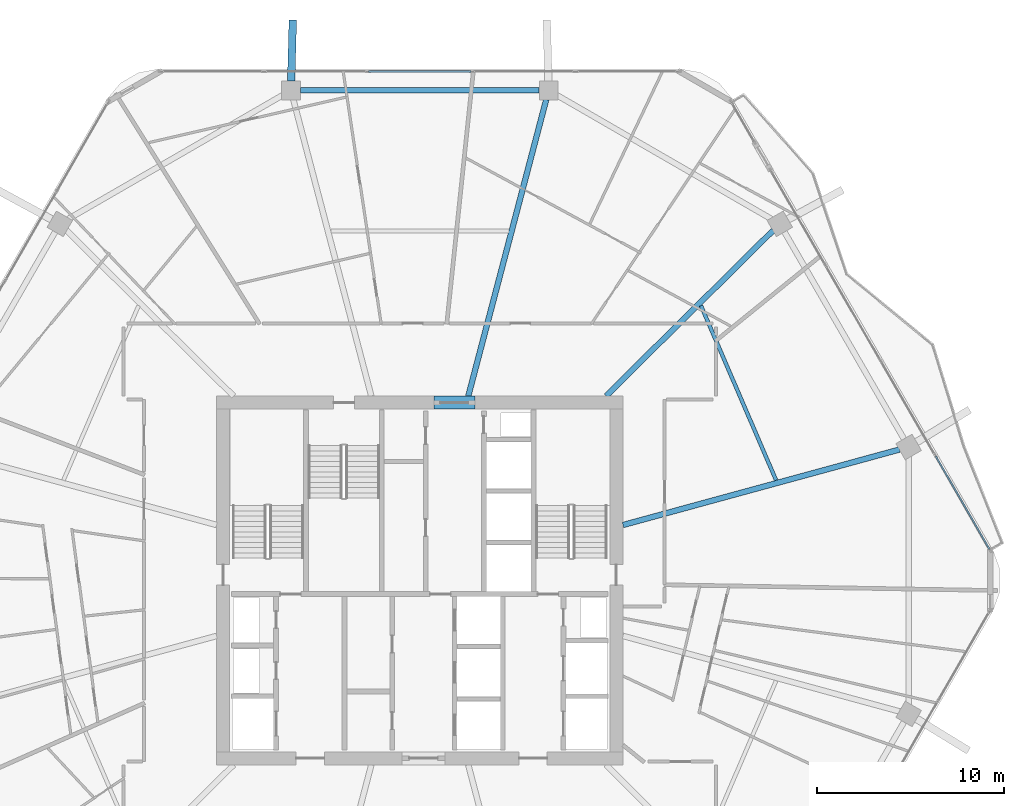
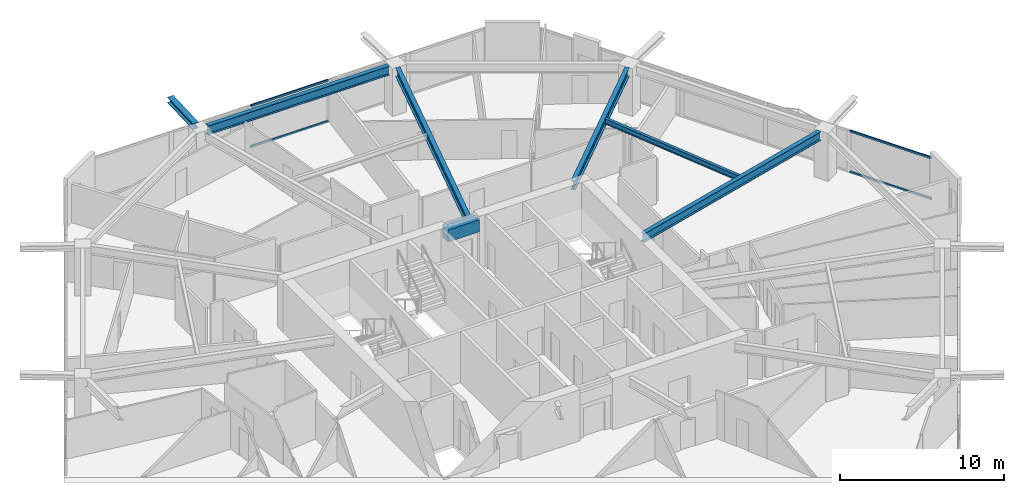
# One storey, part 13 of 25: 7 beams, 4 members, 2 elements without a shape of their own.
"""IFC4 building model written with IfcOpenShell, lengths in metres."""

from ifc_helpers import new_model, si_unit, direction, frame, origin, origin_2d, place, context, subcontext, project, spatial, rectangle, hollow_rectangle, i_section, extrude, material, material_profile, profile_set, type_object, element, aggregate, save


model = new_model("IFC4")

# Units and contexts
model_context = context("Model", 3, precision=1e-05, world=origin(), true_north=direction((0.0, 1.0)))
body_context = subcontext(model_context, "Body", "Model", "MODEL_VIEW")
ifc_project = project(units=[si_unit("LENGTHUNIT", "METRE"), si_unit("AREAUNIT", "SQUARE_METRE"), si_unit("VOLUMEUNIT", "CUBIC_METRE"), si_unit("PLANEANGLEUNIT", "RADIAN"), si_unit("MASSUNIT", "GRAM", prefix="KILO")], contexts=[model_context])

# Site, building, storey
site_placement = place(None, origin())
site = spatial("IfcSite", under=ifc_project, at=site_placement, CompositionType="ELEMENT")
building_placement = place(site_placement, origin())
building = spatial("IfcBuilding", under=site, at=building_placement, Name="Zuhravey Tower", CompositionType="ELEMENT")
storey_placement = place(building_placement, frame((0.0, 0.0, 180.800048828125)))
storey = spatial("IfcBuildingStorey", under=building, at=storey_placement, Name="L45", CompositionType="ELEMENT", Elevation=180.800048828125)

# Beam
ifc_material_1 = material(Name="Concrete C60/75", Category="concrete")
ifc_material_profile_1 = material_profile(ifc_material_1, rectangle(XDim=0.699951171875, YDim=0.89990234375, at=origin_2d()), Name="RC-700x900")
ifc_profile_set_1 = profile_set([ifc_material_profile_1], Name="Concrete C60/75")
beam_type_1 = type_object("IfcBeamType", Name="Core Coupling Beam RC700x900", PredefinedType="LINTEL", material=ifc_profile_set_1)
beam_1_placement = place(storey_placement, frame((36.751953125, 41.5, 3.099853515625), z_axis=(1.0, 0.0, 0.0), x_axis=(0.0, 1.0, 0.0)))
element("IfcBeam", 1, at=beam_1_placement, inside=storey, type_object=beam_type_1, Name="L45 CB1 BM-L45-CB-N", PredefinedType="LINTEL", context=body_context, shape_type="SweptSolid", body=[
    extrude(rectangle(XDim=0.699951171875, YDim=0.89990234375, at=origin_2d()), origin(), (0.0, 0.0, 1.0), 2.196044921875),
])

# Curtain wall, members
ifc_material_2 = material(Name="Thermally broken anodised aluminium", Category="aluminium")
curtain_wall_type = type_object("IfcCurtainWallType", Name="Zone 1-2 Residential Curtain Wall CW3", PredefinedType="NOTDEFINED", material=ifc_material_2)
curtain_wall_1_placement = place(storey_placement, origin())
curtain_wall_1 = element("IfcCurtainWall", 2, at=curtain_wall_1_placement, inside=storey, type_object=curtain_wall_type, Name="L45 CW3 CW-L45-F2-1", PredefinedType="NOTDEFINED")
ifc_material_3 = material(Name="Anodised aluminium", Category="aluminium")
ifc_material_profile_2 = material_profile(ifc_material_3, hollow_rectangle(XDim=0.090087890625, YDim=0.14990234375, WallThickness=0.0048828125, at=origin_2d()), Name="ALU-RHS-90x150x5")
ifc_profile_set_2 = profile_set([ifc_material_profile_2], Name="Anodised aluminium")
member_type = type_object("IfcMemberType", Name="Curtain-Wall Transom 90x150", PredefinedType="USERDEFINED", material=ifc_profile_set_2)
member_1_placement = place(storey_placement, frame((33.272705078125, 59.18310546875, 0.044921875), z_axis=(1.0, 0.0, 0.0), x_axis=(0.0, 1.0, 0.0)))
member_1 = element("IfcMember", 3, at=member_1_placement, type_object=member_type, Name="CW3 transom 3.1", ObjectType="TRANSOM", PredefinedType="USERDEFINED", context=body_context, shape_type="SweptSolid", body=[
    extrude(hollow_rectangle(XDim=0.090087890625, YDim=0.14990234375, WallThickness=0.0048828125, at=origin_2d()), origin(), (0.0, 0.0, 1.0), 5.45458984375),
])
member_2_placement = place(storey_placement, frame((33.272705078125, 59.18310546875, 3.076904296875), z_axis=(1.0, 0.0, 0.0), x_axis=(0.0, 1.0, 0.0)))
member_2 = element("IfcMember", 4, at=member_2_placement, type_object=member_type, Name="CW3 transom 3.2", ObjectType="TRANSOM", PredefinedType="USERDEFINED", context=body_context, shape_type="SweptSolid", body=[
    extrude(hollow_rectangle(XDim=0.090087890625, YDim=0.14990234375, WallThickness=0.0048828125, at=origin_2d()), origin(), (0.0, 0.0, 1.0), 5.45458984375),
])
aggregate(curtain_wall_1, [member_1, member_2])

curtain_wall_2_placement = place(storey_placement, origin())
curtain_wall_2 = element("IfcCurtainWall", 5, at=curtain_wall_2_placement, inside=storey, type_object=curtain_wall_type, Name="L45 CW3 CW-L45-F1-2", PredefinedType="NOTDEFINED")
member_3_placement = place(storey_placement, frame((63.559326171875, 38.6318359375, 0.044921875), z_axis=(0.50001726819, -0.866015433761, 0.0), x_axis=(0.866015433761, 0.50001726819, 0.0)))
member_3 = element("IfcMember", 6, at=member_3_placement, type_object=member_type, Name="CW3 transom 4.1", ObjectType="TRANSOM", PredefinedType="USERDEFINED", context=body_context, shape_type="SweptSolid", body=[
    extrude(hollow_rectangle(XDim=0.090087890625, YDim=0.14990234375, WallThickness=0.0048828125, at=origin_2d()), origin(), (0.0, 0.0, 1.0), 5.734619140625),
])
member_4_placement = place(storey_placement, frame((63.559326171875, 38.6318359375, 3.076904296875), z_axis=(0.50001726819, -0.866015433761, 0.0), x_axis=(0.866015433761, 0.50001726819, 0.0)))
member_4 = element("IfcMember", 7, at=member_4_placement, type_object=member_type, Name="CW3 transom 4.2", ObjectType="TRANSOM", PredefinedType="USERDEFINED", context=body_context, shape_type="SweptSolid", body=[
    extrude(hollow_rectangle(XDim=0.090087890625, YDim=0.14990234375, WallThickness=0.0048828125, at=origin_2d()), origin(), (0.0, 0.0, 1.0), 5.734619140625),
])
aggregate(curtain_wall_2, [member_3, member_4])

# Beams
ifc_material_4 = material(Name="Steel SM460", Category="steel")
ifc_material_profile_3 = material_profile(ifc_material_4, i_section(OverallWidth=0.406982421875, OverallDepth=0.427978515625, WebThickness=0.02001953125, FlangeThickness=0.034912109375, at=origin_2d()), Name="H-428x407x20x35")
ifc_profile_set_3 = profile_set([ifc_material_profile_3], Name="Steel SM460")
beam_type_2 = type_object("IfcBeamType", Name="Exoskeleton Node Tie Beam H428x407", PredefinedType="BEAM", material=ifc_profile_set_3)
beam_2_placement = place(storey_placement, frame((29.131591796875, 58.677001953125, 3.3359375), z_axis=(0.02672320059, 0.999642871505, 0.0), x_axis=(-0.999642871505, 0.02672320059, 0.0)))
element("IfcBeam", 8, at=beam_2_placement, inside=storey, type_object=beam_type_2, Name="L45 Exoskeleton Node Tie NT1-04", PredefinedType="BEAM", context=body_context, shape_type="SweptSolid", body=[
    extrude(i_section(OverallWidth=0.406982421875, OverallDepth=0.427978515625, WebThickness=0.02001953125, FlangeThickness=0.034912109375, at=origin_2d()), origin(), (0.0, 0.0, 1.0), 3.25244140625),
])
ifc_material_5 = material(Name="Steel SM355", Category="steel")
ifc_material_profile_4 = material_profile(ifc_material_5, i_section(OverallWidth=0.300048828125, OverallDepth=0.679931640625, WebThickness=0.012939453125, FlangeThickness=0.02197265625, at=origin_2d()), Name="H-680x300x13x22")
ifc_profile_set_4 = profile_set([ifc_material_profile_4], Name="Steel SM355")
beam_type_3 = type_object("IfcBeamType", Name="Perimeter Ring Beam H680x300", PredefinedType="BEAM", material=ifc_profile_set_4)
beam_3_placement = place(storey_placement, frame((42.37890625, 58.173095703125, 3.2099609375), z_axis=(-1.0, 0.0, 0.0), x_axis=(0.0, -1.0, 0.0)))
element("IfcBeam", 9, at=beam_3_placement, inside=storey, type_object=beam_type_3, Name="L45 PB2 BM-L45-PB-03", PredefinedType="BEAM", context=body_context, shape_type="SweptSolid", body=[
    extrude(i_section(OverallWidth=0.300048828125, OverallDepth=0.679931640625, WebThickness=0.012939453125, FlangeThickness=0.02197265625, at=origin_2d()), origin(), (0.0, 0.0, 1.0), 12.7578125),
])
ifc_material_profile_5 = material_profile(ifc_material_5, i_section(OverallWidth=0.300048828125, OverallDepth=0.64990234375, WebThickness=0.012939453125, FlangeThickness=0.02197265625, at=origin_2d()), Name="H-650x300x13x22")
ifc_profile_set_5 = profile_set([ifc_material_profile_5], Name="Steel SM355")
beam_type_4 = type_object("IfcBeamType", Name="Radial Primary Girder H650x300", PredefinedType="BEAM", material=ifc_profile_set_5)
beam_4_placement = place(storey_placement, frame((46.85302734375, 34.96240234375, 3.224853515625), z_axis=(0.964701601771, 0.263345437667, 0.0), x_axis=(-0.263345437667, 0.964701601771, 0.0)))
element("IfcBeam", 10, at=beam_4_placement, inside=storey, type_object=beam_type_4, Name="L45 RG2 BM-L45-RAD-01", PredefinedType="BEAM", context=body_context, shape_type="SweptSolid", body=[
    extrude(i_section(OverallWidth=0.300048828125, OverallDepth=0.64990234375, WebThickness=0.012939453125, FlangeThickness=0.02197265625, at=origin_2d()), origin(), (0.0, 0.0, 1.0), 15.309814453125),
])
beam_5_placement = place(storey_placement, frame((45.945556640625, 41.85302734375, 3.224853515625), z_axis=(0.71040353357, 0.703794586148, 0.0), x_axis=(-0.703794586148, 0.71040353357, 0.0)))
element("IfcBeam", 11, at=beam_5_placement, inside=storey, type_object=beam_type_4, Name="L45 RG2 BM-L45-RAD-02", PredefinedType="BEAM", context=body_context, shape_type="SweptSolid", body=[
    extrude(i_section(OverallWidth=0.300048828125, OverallDepth=0.64990234375, WebThickness=0.012939453125, FlangeThickness=0.02197265625, at=origin_2d()), origin(), (0.0, 0.0, 1.0), 12.559814453125),
])
beam_6_placement = place(storey_placement, frame((38.5908203125, 41.85302734375, 3.224853515625), z_axis=(0.254300244998, 0.967125320418, 0.0), x_axis=(-0.967125320418, 0.254300244998, 0.0)))
element("IfcBeam", 12, at=beam_6_placement, inside=storey, type_object=beam_type_4, Name="L45 RG2 BM-L45-RAD-03", PredefinedType="BEAM", context=body_context, shape_type="SweptSolid", body=[
    extrude(i_section(OverallWidth=0.300048828125, OverallDepth=0.64990234375, WebThickness=0.012939453125, FlangeThickness=0.02197265625, at=origin_2d()), origin(), (0.0, 0.0, 1.0), 16.371826171875),
])
ifc_material_profile_6 = material_profile(ifc_material_5, i_section(OverallWidth=0.199951171875, OverallDepth=0.39990234375, WebThickness=0.008056640625, FlangeThickness=0.012939453125, at=origin_2d()), Name="H-400x200x8x13")
ifc_profile_set_6 = profile_set([ifc_material_profile_6], Name="Steel SM355")
beam_type_5 = type_object("IfcBeamType", Name="Secondary Floor Joist H400x200", PredefinedType="JOIST", material=ifc_profile_set_6)
beam_7_placement = place(storey_placement, frame((55.029541015625, 37.3525390625, 3.349853515625), z_axis=(-0.395265853487, 0.918566766799, 0.0), x_axis=(-0.918566766799, -0.395265853487, 0.0)))
element("IfcBeam", 13, at=beam_7_placement, inside=storey, type_object=beam_type_5, Name="L45 SJ2 BM-L45-SJ-01-1", PredefinedType="JOIST", context=body_context, shape_type="SweptSolid", body=[
    extrude(i_section(OverallWidth=0.199951171875, OverallDepth=0.39990234375, WebThickness=0.008056640625, FlangeThickness=0.012939453125, at=origin_2d()), origin(), (0.0, 0.0, 1.0), 10.150146484375),
])

save(model, "model.ifc")
